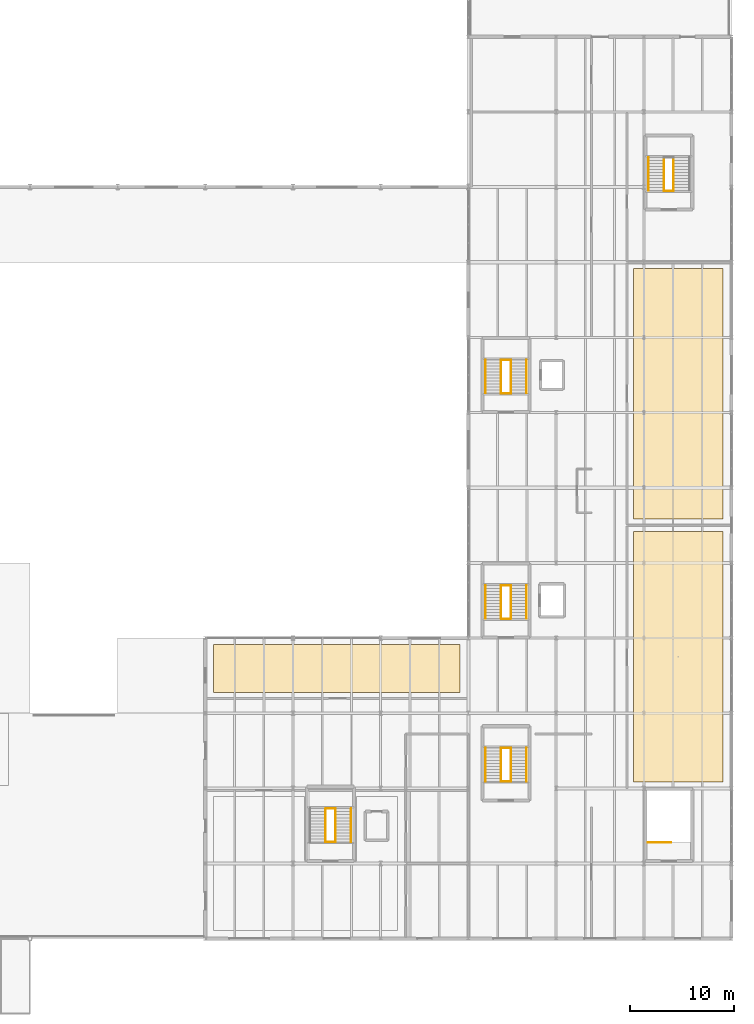
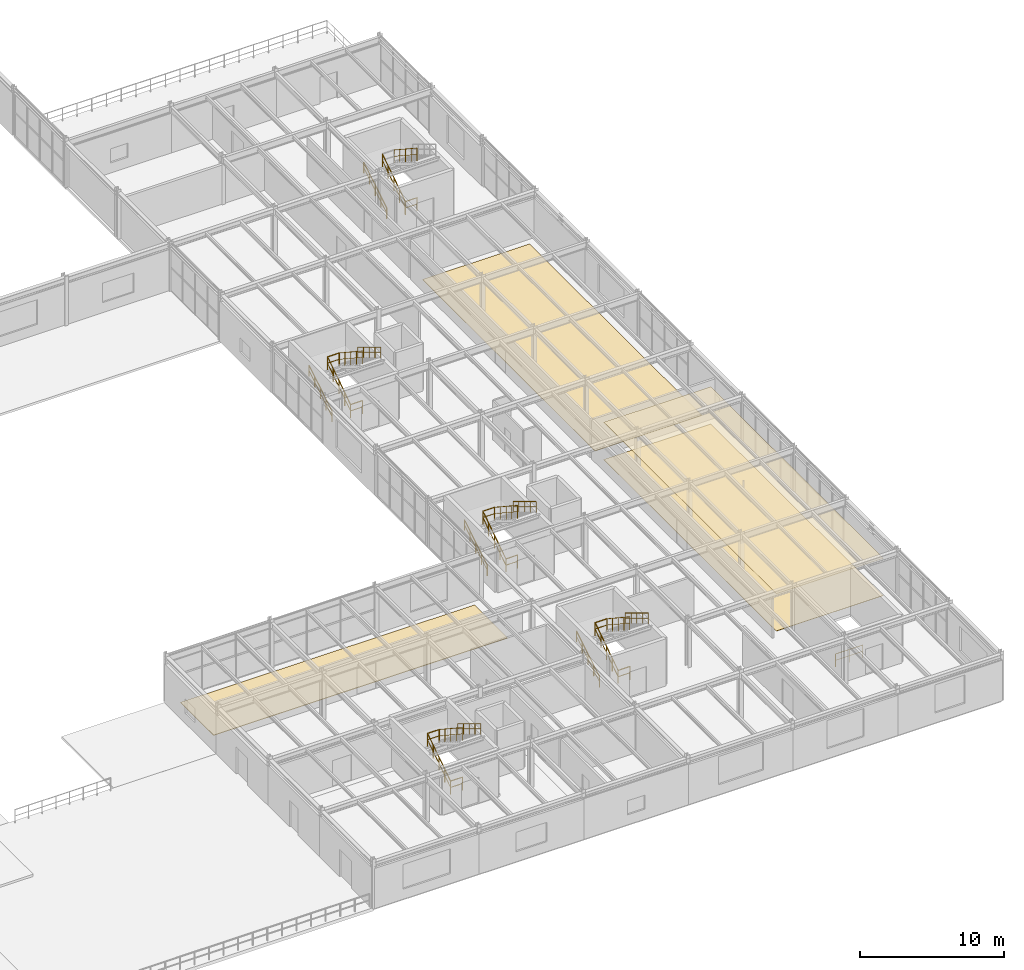
# One storey, part 72 of 73: 28 railings, 4 coverings.
"""IFC4 building model written with IfcOpenShell, lengths in metres."""

from ifc_helpers import new_model, si_unit, derived_unit, direction, frame, origin, origin_2d, place, context, subcontext, project, spatial, polyline, circle, outline, extrude, material, layer, layer_set, type_object, element, save


model = new_model("IFC4")

# Units and contexts
model_context = context("Model", 3, precision=1e-05, world=origin(), true_north=direction((0.0, 1.0)))
body_context = subcontext(model_context, "Body", "Model", "MODEL_VIEW")
ifc_project = project(units=[si_unit("LENGTHUNIT", "METRE"), si_unit("AREAUNIT", "SQUARE_METRE"), si_unit("VOLUMEUNIT", "CUBIC_METRE"), si_unit("PLANEANGLEUNIT", "RADIAN"), si_unit("MASSUNIT", "GRAM", prefix="KILO"), derived_unit("THERMALTRANSMITTANCEUNIT", [(si_unit("MASSUNIT", "GRAM", prefix="KILO"), 1), (si_unit("TIMEUNIT", "SECOND"), -3), (si_unit("THERMODYNAMICTEMPERATUREUNIT", "KELVIN"), -1)])], contexts=[model_context])

# Site, building, storey
site_placement = place(None, origin())
site = spatial("IfcSite", under=ifc_project, at=site_placement, CompositionType="ELEMENT")
building_placement = place(site_placement, origin())
building = spatial("IfcBuilding", under=site, at=building_placement, Name="Kharveza Railside Sports Centre", CompositionType="ELEMENT")
storey_placement = place(building_placement, frame((0.0, 0.0, 8.699951171875)))
storey = spatial("IfcBuildingStorey", under=building, at=storey_placement, Name="L02", CompositionType="ELEMENT", Elevation=8.699951171875)

# Coverings
ifc_material_1 = material(Name="Acoustic mineral-fibre ceiling tile")
ifc_layer_1 = layer(ifc_material_1, 0.0400390625, Name="Acoustic mineral-fibre ceiling tile")
ifc_layer_set_1 = layer_set([ifc_layer_1], Name="Acoustic mineral-fibre ceiling tile")
covering_type_1 = type_object("IfcCoveringType", Name="CV-CL01", PredefinedType="CEILING", material=ifc_layer_set_1)
covering_1_placement = place(storey_placement, frame((0.0, 0.0, 3.150146484375)))
element("IfcCovering", 1, at=covering_1_placement, inside=storey, type_object=covering_type_1, Name="COV-CL-FIT2", PredefinedType="CEILING", context=body_context, shape_type="SweptSolid", body=[
    extrude(outline(polyline([(167.199951171875, 22.199951171875), (158.60009765625, 22.199951171875), (158.60009765625, 46.199951171875), (167.199951171875, 46.199951171875), (167.199951171875, 22.199951171875)])), origin(), (0.0, 0.0, 1.0), 0.039794921875),
])
ifc_material_2 = material(Name="Sprung maple sports flooring")
ifc_layer_2 = layer(ifc_material_2, 0.044921875, Name="Sprung maple sports flooring")
ifc_layer_set_2 = layer_set([ifc_layer_2], Name="Sprung maple sports flooring")
covering_type_2 = type_object("IfcCoveringType", Name="CV-FL01", PredefinedType="FLOORING", material=ifc_layer_set_2)
covering_2_placement = place(storey_placement, origin())
element("IfcCovering", 2, at=covering_2_placement, inside=storey, type_object=covering_type_2, Name="COV-FL-DNC2", PredefinedType="FLOORING", context=body_context, shape_type="SweptSolid", body=[
    extrude(outline(polyline([(142.0, 30.800048828125), (118.39990234375, 30.800048828125), (118.39990234375, 35.39990234375), (142.0, 35.39990234375), (142.0, 30.800048828125)])), origin(), (0.0, 0.0, 1.0), 0.045166015625),
])
ifc_material_3 = material(Name="EPDM shock-absorbing running track surfacing")
ifc_layer_3 = layer(ifc_material_3, 0.02490234375, Name="EPDM shock-absorbing running track surfacing")
ifc_layer_set_3 = layer_set([ifc_layer_3], Name="EPDM shock-absorbing running track surfacing")
covering_type_3 = type_object("IfcCoveringType", Name="CV-FL02", PredefinedType="FLOORING", material=ifc_layer_set_3)
covering_3_placement = place(storey_placement, origin())
element("IfcCovering", 3, at=covering_3_placement, inside=storey, type_object=covering_type_3, Name="COV-FL-FIT2", PredefinedType="FLOORING", context=body_context, shape_type="SweptSolid", body=[
    extrude(outline(polyline([(167.199951171875, 22.199951171875), (158.60009765625, 22.199951171875), (158.60009765625, 46.199951171875), (167.199951171875, 46.199951171875), (167.199951171875, 22.199951171875)])), origin(), (0.0, 0.0, 1.0), 0.025146484375),
])
covering_4_placement = place(storey_placement, origin())
element("IfcCovering", 4, at=covering_4_placement, inside=storey, type_object=covering_type_3, Name="COV-FL-FIT3", PredefinedType="FLOORING", context=body_context, shape_type="SweptSolid", body=[
    extrude(outline(polyline([(167.199951171875, 47.39990234375), (158.60009765625, 47.39990234375), (158.60009765625, 71.39990234375), (167.199951171875, 71.39990234375), (167.199951171875, 47.39990234375)])), origin(), (0.0, 0.0, 1.0), 0.025146484375),
])

# Railings
ifc_material_4 = material(Name="Steel S275JR", Category="steel")
railing_type_1 = type_object("IfcRailingType", Name="RL-GD110", PredefinedType="GUARDRAIL", material=ifc_material_4)
railing_1_placement = place(storey_placement, frame((145.929931640625, 37.840087890625, 0.0)))
element("IfcRailing", 5, at=railing_1_placement, inside=storey, type_object=railing_type_1, Name="RL-STSLOT-ST1-L02", PredefinedType="GUARDRAIL", context=body_context, shape_type="SweptSolid", body=[
    extrude(circle(Radius=0.02392578125, at=origin_2d()), frame((0.0, 0.0, 1.09619140625), z_axis=(1.0, 0.0, 0.0), x_axis=(0.0, 1.0, 0.0)), (0.0, 0.0, 1.0), 0.940185546875),
    extrude(circle(Radius=0.01611328125, at=origin_2d()), frame((0.0, 0.0, 0.56005859375), z_axis=(1.0, 0.0, 0.0), x_axis=(0.0, 1.0, 0.0)), (0.0, 0.0, 1.0), 0.940185546875),
    extrude(circle(Radius=0.02099609375, at=origin_2d()), origin(), (0.0, 0.0, 1.0), 1.072021484375),
    extrude(circle(Radius=0.02099609375, at=origin_2d()), frame((0.940185546875, 0.0, 0.0)), (0.0, 0.0, 1.0), 1.072021484375),
])
railing_2_placement = place(storey_placement, frame((145.929931640625, 37.860107421875, 0.0)))
element("IfcRailing", 6, at=railing_2_placement, inside=storey, type_object=railing_type_1, Name="STR-ST1-L02-GD1", PredefinedType="GUARDRAIL", context=body_context, shape_type="SweptSolid", body=[
    extrude(circle(Radius=0.02392578125, at=origin_2d()), frame((0.0, 0.0, 1.09619140625), z_axis=(0.0, 0.835242474824, 0.549881812983), x_axis=(-1.0, 0.0, 0.0)), (0.0, 0.0, 1.0), 3.819091796875),
    extrude(circle(Radius=0.01611328125, at=origin_2d()), frame((0.0, 0.0, 0.56005859375), z_axis=(0.0, 0.835242474824, 0.549881812983), x_axis=(-1.0, 0.0, 0.0)), (0.0, 0.0, 1.0), 3.819091796875),
    extrude(circle(Radius=0.02099609375, at=origin_2d()), origin(), (0.0, 0.0, 1.0), 1.072021484375),
    extrude(circle(Radius=0.02099609375, at=origin_2d()), frame((0.0, 0.79736328125, 0.52490234375)), (0.0, 0.0, 1.0), 1.072021484375),
    extrude(circle(Radius=0.02099609375, at=origin_2d()), frame((0.0, 1.594970703125, 1.050048828125)), (0.0, 0.0, 1.0), 1.072021484375),
    extrude(circle(Radius=0.02099609375, at=origin_2d()), frame((0.0, 2.392578125, 1.5751953125)), (0.0, 0.0, 1.0), 1.072021484375),
    extrude(circle(Radius=0.02099609375, at=origin_2d()), frame((0.0, 3.18994140625, 2.10009765625)), (0.0, 0.0, 1.0), 1.072021484375),
])
railing_3_placement = place(storey_placement, frame((146.8701171875, 41.050048828125, 2.10009765625)))
element("IfcRailing", 7, at=railing_3_placement, inside=storey, type_object=railing_type_1, Name="STR-ST1-L02-GD2", PredefinedType="GUARDRAIL", context=body_context, shape_type="SweptSolid", body=[
    extrude(circle(Radius=0.02392578125, at=origin_2d()), frame((0.0, 0.0, 1.09619140625), z_axis=(0.0, -0.835271834381, 0.549837214719), x_axis=(1.0, 0.0, 0.0)), (0.0, 0.0, 1.0), 3.819091796875),
    extrude(circle(Radius=0.01611328125, at=origin_2d()), frame((0.0, 0.0, 0.56005859375), z_axis=(0.0, -0.835271834381, 0.549837214719), x_axis=(1.0, 0.0, 0.0)), (0.0, 0.0, 1.0), 3.819091796875),
    extrude(circle(Radius=0.02099609375, at=origin_2d()), origin(), (0.0, 0.0, 1.0), 1.072021484375),
    extrude(circle(Radius=0.02099609375, at=origin_2d()), frame((0.0, -0.79736328125, 0.52490234375)), (0.0, 0.0, 1.0), 1.072021484375),
    extrude(circle(Radius=0.02099609375, at=origin_2d()), frame((0.0, -1.594970703125, 1.0498046875)), (0.0, 0.0, 1.0), 1.072021484375),
    extrude(circle(Radius=0.02099609375, at=origin_2d()), frame((0.0, -2.392578125, 1.574951171875)), (0.0, 0.0, 1.0), 1.072021484375),
    extrude(circle(Radius=0.02099609375, at=origin_2d()), frame((0.0, -3.18994140625, 2.099853515625)), (0.0, 0.0, 1.0), 1.072021484375),
])
for number, where, name in (
    (8, (145.929931640625, 41.050048828125, 2.10009765625), "STR-ST1-L02-GDH"),
    (9, (145.929931640625, 59.43994140625, 0.0), "RL-STSLOT-ST2-L02"),
):
    element("IfcRailing", number, at=place(storey_placement, frame(where)), inside=storey, type_object=railing_type_1, Name=name, PredefinedType="GUARDRAIL", context=body_context, shape_type="SweptSolid", body=[
        extrude(circle(Radius=0.02392578125, at=origin_2d()), frame((0.0, 0.0, 1.09619140625), z_axis=(1.0, 0.0, 0.0), x_axis=(0.0, 1.0, 0.0)), (0.0, 0.0, 1.0), 0.940185546875),
        extrude(circle(Radius=0.01611328125, at=origin_2d()), frame((0.0, 0.0, 0.56005859375), z_axis=(1.0, 0.0, 0.0), x_axis=(0.0, 1.0, 0.0)), (0.0, 0.0, 1.0), 0.940185546875),
        extrude(circle(Radius=0.02099609375, at=origin_2d()), origin(), (0.0, 0.0, 1.0), 1.072021484375),
        extrude(circle(Radius=0.02099609375, at=origin_2d()), frame((0.940185546875, 0.0, 0.0)), (0.0, 0.0, 1.0), 1.072021484375),
    ])
railing_4_placement = place(storey_placement, frame((145.929931640625, 59.4599609375, 0.0)))
element("IfcRailing", 10, at=railing_4_placement, inside=storey, type_object=railing_type_1, Name="STR-ST2-L02-GD1", PredefinedType="GUARDRAIL", context=body_context, shape_type="SweptSolid", body=[
    extrude(circle(Radius=0.02392578125, at=origin_2d()), frame((0.0, 0.0, 1.09619140625), z_axis=(0.0, 0.835242474824, 0.549881812983), x_axis=(-1.0, 0.0, 0.0)), (0.0, 0.0, 1.0), 3.819091796875),
    extrude(circle(Radius=0.01611328125, at=origin_2d()), frame((0.0, 0.0, 0.56005859375), z_axis=(0.0, 0.835242474824, 0.549881812983), x_axis=(-1.0, 0.0, 0.0)), (0.0, 0.0, 1.0), 3.819091796875),
    extrude(circle(Radius=0.02099609375, at=origin_2d()), origin(), (0.0, 0.0, 1.0), 1.072021484375),
    extrude(circle(Radius=0.02099609375, at=origin_2d()), frame((0.0, 0.79736328125, 0.52490234375)), (0.0, 0.0, 1.0), 1.072021484375),
    extrude(circle(Radius=0.02099609375, at=origin_2d()), frame((0.0, 1.594970703125, 1.050048828125)), (0.0, 0.0, 1.0), 1.072021484375),
    extrude(circle(Radius=0.02099609375, at=origin_2d()), frame((0.0, 2.392578125, 1.5751953125)), (0.0, 0.0, 1.0), 1.072021484375),
    extrude(circle(Radius=0.02099609375, at=origin_2d()), frame((0.0, 3.18994140625, 2.10009765625)), (0.0, 0.0, 1.0), 1.072021484375),
])
railing_5_placement = place(storey_placement, frame((146.8701171875, 62.64990234375, 2.10009765625)))
element("IfcRailing", 11, at=railing_5_placement, inside=storey, type_object=railing_type_1, Name="STR-ST2-L02-GD2", PredefinedType="GUARDRAIL", context=body_context, shape_type="SweptSolid", body=[
    extrude(circle(Radius=0.02392578125, at=origin_2d()), frame((0.0, 0.0, 1.09619140625), z_axis=(0.0, -0.835271834381, 0.549837214719), x_axis=(1.0, 0.0, 0.0)), (0.0, 0.0, 1.0), 3.819091796875),
    extrude(circle(Radius=0.01611328125, at=origin_2d()), frame((0.0, 0.0, 0.56005859375), z_axis=(0.0, -0.835271834381, 0.549837214719), x_axis=(1.0, 0.0, 0.0)), (0.0, 0.0, 1.0), 3.819091796875),
    extrude(circle(Radius=0.02099609375, at=origin_2d()), origin(), (0.0, 0.0, 1.0), 1.072021484375),
    extrude(circle(Radius=0.02099609375, at=origin_2d()), frame((0.0, -0.79736328125, 0.52490234375)), (0.0, 0.0, 1.0), 1.072021484375),
    extrude(circle(Radius=0.02099609375, at=origin_2d()), frame((0.0, -1.594970703125, 1.0498046875)), (0.0, 0.0, 1.0), 1.072021484375),
    extrude(circle(Radius=0.02099609375, at=origin_2d()), frame((0.0, -2.392578125, 1.574951171875)), (0.0, 0.0, 1.0), 1.072021484375),
    extrude(circle(Radius=0.02099609375, at=origin_2d()), frame((0.0, -3.18994140625, 2.099853515625)), (0.0, 0.0, 1.0), 1.072021484375),
])
for number, where, name in (
    (12, (145.929931640625, 62.64990234375, 2.10009765625), "STR-ST2-L02-GDH"),
    (13, (129.1298828125, 16.43994140625, 0.0), "RL-STSLOT-ST3-L02"),
):
    element("IfcRailing", number, at=place(storey_placement, frame(where)), inside=storey, type_object=railing_type_1, Name=name, PredefinedType="GUARDRAIL", context=body_context, shape_type="SweptSolid", body=[
        extrude(circle(Radius=0.02392578125, at=origin_2d()), frame((0.0, 0.0, 1.09619140625), z_axis=(1.0, 0.0, 0.0), x_axis=(0.0, 1.0, 0.0)), (0.0, 0.0, 1.0), 0.940185546875),
        extrude(circle(Radius=0.01611328125, at=origin_2d()), frame((0.0, 0.0, 0.56005859375), z_axis=(1.0, 0.0, 0.0), x_axis=(0.0, 1.0, 0.0)), (0.0, 0.0, 1.0), 0.940185546875),
        extrude(circle(Radius=0.02099609375, at=origin_2d()), origin(), (0.0, 0.0, 1.0), 1.072021484375),
        extrude(circle(Radius=0.02099609375, at=origin_2d()), frame((0.940185546875, 0.0, 0.0)), (0.0, 0.0, 1.0), 1.072021484375),
    ])
railing_6_placement = place(storey_placement, frame((129.1298828125, 16.4599609375, 0.0)))
element("IfcRailing", 14, at=railing_6_placement, inside=storey, type_object=railing_type_1, Name="STR-ST3-L02-GD1", PredefinedType="GUARDRAIL", context=body_context, shape_type="SweptSolid", body=[
    extrude(circle(Radius=0.02392578125, at=origin_2d()), frame((0.0, 0.0, 1.09619140625), z_axis=(0.0, 0.835242474824, 0.549881812983), x_axis=(-1.0, 0.0, 0.0)), (0.0, 0.0, 1.0), 3.819091796875),
    extrude(circle(Radius=0.01611328125, at=origin_2d()), frame((0.0, 0.0, 0.56005859375), z_axis=(0.0, 0.835242474824, 0.549881812983), x_axis=(-1.0, 0.0, 0.0)), (0.0, 0.0, 1.0), 3.819091796875),
    extrude(circle(Radius=0.02099609375, at=origin_2d()), origin(), (0.0, 0.0, 1.0), 1.072021484375),
    extrude(circle(Radius=0.02099609375, at=origin_2d()), frame((0.0, 0.79736328125, 0.52490234375)), (0.0, 0.0, 1.0), 1.072021484375),
    extrude(circle(Radius=0.02099609375, at=origin_2d()), frame((0.0, 1.594970703125, 1.050048828125)), (0.0, 0.0, 1.0), 1.072021484375),
    extrude(circle(Radius=0.02099609375, at=origin_2d()), frame((0.0, 2.392578125, 1.5751953125)), (0.0, 0.0, 1.0), 1.072021484375),
    extrude(circle(Radius=0.02099609375, at=origin_2d()), frame((0.0, 3.18994140625, 2.10009765625)), (0.0, 0.0, 1.0), 1.072021484375),
])
railing_7_placement = place(storey_placement, frame((130.070068359375, 19.64990234375, 2.10009765625)))
element("IfcRailing", 15, at=railing_7_placement, inside=storey, type_object=railing_type_1, Name="STR-ST3-L02-GD2", PredefinedType="GUARDRAIL", context=body_context, shape_type="SweptSolid", body=[
    extrude(circle(Radius=0.02392578125, at=origin_2d()), frame((0.0, 0.0, 1.09619140625), z_axis=(0.0, -0.835271834381, 0.549837214719), x_axis=(1.0, 0.0, 0.0)), (0.0, 0.0, 1.0), 3.819091796875),
    extrude(circle(Radius=0.01611328125, at=origin_2d()), frame((0.0, 0.0, 0.56005859375), z_axis=(0.0, -0.835271834381, 0.549837214719), x_axis=(1.0, 0.0, 0.0)), (0.0, 0.0, 1.0), 3.819091796875),
    extrude(circle(Radius=0.02099609375, at=origin_2d()), origin(), (0.0, 0.0, 1.0), 1.072021484375),
    extrude(circle(Radius=0.02099609375, at=origin_2d()), frame((0.0, -0.79736328125, 0.52490234375)), (0.0, 0.0, 1.0), 1.072021484375),
    extrude(circle(Radius=0.02099609375, at=origin_2d()), frame((0.0, -1.594970703125, 1.0498046875)), (0.0, 0.0, 1.0), 1.072021484375),
    extrude(circle(Radius=0.02099609375, at=origin_2d()), frame((0.0, -2.392578125, 1.574951171875)), (0.0, 0.0, 1.0), 1.072021484375),
    extrude(circle(Radius=0.02099609375, at=origin_2d()), frame((0.0, -3.18994140625, 2.099853515625)), (0.0, 0.0, 1.0), 1.072021484375),
])
railing_8_placement = place(storey_placement, frame((129.1298828125, 19.64990234375, 2.10009765625)))
element("IfcRailing", 16, at=railing_8_placement, inside=storey, type_object=railing_type_1, Name="STR-ST3-L02-GDH", PredefinedType="GUARDRAIL", context=body_context, shape_type="SweptSolid", body=[
    extrude(circle(Radius=0.02392578125, at=origin_2d()), frame((0.0, 0.0, 1.09619140625), z_axis=(1.0, 0.0, 0.0), x_axis=(0.0, 1.0, 0.0)), (0.0, 0.0, 1.0), 0.940185546875),
    extrude(circle(Radius=0.01611328125, at=origin_2d()), frame((0.0, 0.0, 0.56005859375), z_axis=(1.0, 0.0, 0.0), x_axis=(0.0, 1.0, 0.0)), (0.0, 0.0, 1.0), 0.940185546875),
    extrude(circle(Radius=0.02099609375, at=origin_2d()), origin(), (0.0, 0.0, 1.0), 1.072021484375),
    extrude(circle(Radius=0.02099609375, at=origin_2d()), frame((0.940185546875, 0.0, 0.0)), (0.0, 0.0, 1.0), 1.072021484375),
])
railing_9_placement = place(storey_placement, frame((161.530029296875, 78.840087890625, 0.0)))
element("IfcRailing", 17, at=railing_9_placement, inside=storey, type_object=railing_type_1, Name="RL-STSLOT-ST4-L02", PredefinedType="GUARDRAIL", context=body_context, shape_type="SweptSolid", body=[
    extrude(circle(Radius=0.02392578125, at=origin_2d()), frame((0.0, 0.0, 1.09619140625), z_axis=(1.0, 0.0, 0.0), x_axis=(0.0, 1.0, 0.0)), (0.0, 0.0, 1.0), 0.93994140625),
    extrude(circle(Radius=0.01611328125, at=origin_2d()), frame((0.0, 0.0, 0.56005859375), z_axis=(1.0, 0.0, 0.0), x_axis=(0.0, 1.0, 0.0)), (0.0, 0.0, 1.0), 0.93994140625),
    extrude(circle(Radius=0.02099609375, at=origin_2d()), origin(), (0.0, 0.0, 1.0), 1.072021484375),
    extrude(circle(Radius=0.02099609375, at=origin_2d()), frame((0.93994140625, 0.0, 0.0)), (0.0, 0.0, 1.0), 1.072021484375),
])
railing_10_placement = place(storey_placement, frame((161.530029296875, 78.860107421875, 0.0)))
element("IfcRailing", 18, at=railing_10_placement, inside=storey, type_object=railing_type_1, Name="STR-ST4-L02-GD1", PredefinedType="GUARDRAIL", context=body_context, shape_type="SweptSolid", body=[
    extrude(circle(Radius=0.02392578125, at=origin_2d()), frame((0.0, 0.0, 1.09619140625), z_axis=(0.0, 0.835242474824, 0.549881812983), x_axis=(-1.0, 0.0, 0.0)), (0.0, 0.0, 1.0), 3.819091796875),
    extrude(circle(Radius=0.01611328125, at=origin_2d()), frame((0.0, 0.0, 0.56005859375), z_axis=(0.0, 0.835242474824, 0.549881812983), x_axis=(-1.0, 0.0, 0.0)), (0.0, 0.0, 1.0), 3.819091796875),
    extrude(circle(Radius=0.02099609375, at=origin_2d()), origin(), (0.0, 0.0, 1.0), 1.072021484375),
    extrude(circle(Radius=0.02099609375, at=origin_2d()), frame((0.0, 0.79736328125, 0.52490234375)), (0.0, 0.0, 1.0), 1.072021484375),
    extrude(circle(Radius=0.02099609375, at=origin_2d()), frame((0.0, 1.594970703125, 1.050048828125)), (0.0, 0.0, 1.0), 1.072021484375),
    extrude(circle(Radius=0.02099609375, at=origin_2d()), frame((0.0, 2.392578125, 1.5751953125)), (0.0, 0.0, 1.0), 1.072021484375),
    extrude(circle(Radius=0.02099609375, at=origin_2d()), frame((0.0, 3.18994140625, 2.10009765625)), (0.0, 0.0, 1.0), 1.072021484375),
])
railing_11_placement = place(storey_placement, frame((162.469970703125, 82.050048828125, 2.10009765625)))
element("IfcRailing", 19, at=railing_11_placement, inside=storey, type_object=railing_type_1, Name="STR-ST4-L02-GD2", PredefinedType="GUARDRAIL", context=body_context, shape_type="SweptSolid", body=[
    extrude(circle(Radius=0.02392578125, at=origin_2d()), frame((0.0, 0.0, 1.09619140625), z_axis=(0.0, -0.835271834381, 0.549837214719), x_axis=(1.0, 0.0, 0.0)), (0.0, 0.0, 1.0), 3.819091796875),
    extrude(circle(Radius=0.01611328125, at=origin_2d()), frame((0.0, 0.0, 0.56005859375), z_axis=(0.0, -0.835271834381, 0.549837214719), x_axis=(1.0, 0.0, 0.0)), (0.0, 0.0, 1.0), 3.819091796875),
    extrude(circle(Radius=0.02099609375, at=origin_2d()), origin(), (0.0, 0.0, 1.0), 1.072021484375),
    extrude(circle(Radius=0.02099609375, at=origin_2d()), frame((0.0, -0.79736328125, 0.52490234375)), (0.0, 0.0, 1.0), 1.072021484375),
    extrude(circle(Radius=0.02099609375, at=origin_2d()), frame((0.0, -1.594970703125, 1.0498046875)), (0.0, 0.0, 1.0), 1.072021484375),
    extrude(circle(Radius=0.02099609375, at=origin_2d()), frame((0.0, -2.392578125, 1.574951171875)), (0.0, 0.0, 1.0), 1.072021484375),
    extrude(circle(Radius=0.02099609375, at=origin_2d()), frame((0.0, -3.18994140625, 2.099853515625)), (0.0, 0.0, 1.0), 1.072021484375),
])
railing_12_placement = place(storey_placement, frame((145.929931640625, 22.239990234375, 0.0)))
element("IfcRailing", 20, at=railing_12_placement, inside=storey, type_object=railing_type_1, Name="RL-STSLOT-ST5-L02", PredefinedType="GUARDRAIL", context=body_context, shape_type="SweptSolid", body=[
    extrude(circle(Radius=0.02392578125, at=origin_2d()), frame((0.0, 0.0, 1.09619140625), z_axis=(1.0, 0.0, 0.0), x_axis=(0.0, 1.0, 0.0)), (0.0, 0.0, 1.0), 0.940185546875),
    extrude(circle(Radius=0.01611328125, at=origin_2d()), frame((0.0, 0.0, 0.56005859375), z_axis=(1.0, 0.0, 0.0), x_axis=(0.0, 1.0, 0.0)), (0.0, 0.0, 1.0), 0.940185546875),
    extrude(circle(Radius=0.02099609375, at=origin_2d()), origin(), (0.0, 0.0, 1.0), 1.072021484375),
    extrude(circle(Radius=0.02099609375, at=origin_2d()), frame((0.940185546875, 0.0, 0.0)), (0.0, 0.0, 1.0), 1.072021484375),
])
railing_13_placement = place(storey_placement, frame((145.929931640625, 22.260009765625, 0.0)))
element("IfcRailing", 21, at=railing_13_placement, inside=storey, type_object=railing_type_1, Name="STR-ST5-L02-GD1", PredefinedType="GUARDRAIL", context=body_context, shape_type="SweptSolid", body=[
    extrude(circle(Radius=0.02392578125, at=origin_2d()), frame((0.0, 0.0, 1.09619140625), z_axis=(0.0, 0.835242474824, 0.549881812983), x_axis=(-1.0, 0.0, 0.0)), (0.0, 0.0, 1.0), 3.819091796875),
    extrude(circle(Radius=0.01611328125, at=origin_2d()), frame((0.0, 0.0, 0.56005859375), z_axis=(0.0, 0.835242474824, 0.549881812983), x_axis=(-1.0, 0.0, 0.0)), (0.0, 0.0, 1.0), 3.819091796875),
    extrude(circle(Radius=0.02099609375, at=origin_2d()), origin(), (0.0, 0.0, 1.0), 1.072021484375),
    extrude(circle(Radius=0.02099609375, at=origin_2d()), frame((0.0, 0.79736328125, 0.52490234375)), (0.0, 0.0, 1.0), 1.072021484375),
    extrude(circle(Radius=0.02099609375, at=origin_2d()), frame((0.0, 1.594970703125, 1.050048828125)), (0.0, 0.0, 1.0), 1.072021484375),
    extrude(circle(Radius=0.02099609375, at=origin_2d()), frame((0.0, 2.392578125, 1.5751953125)), (0.0, 0.0, 1.0), 1.072021484375),
    extrude(circle(Radius=0.02099609375, at=origin_2d()), frame((0.0, 3.18994140625, 2.10009765625)), (0.0, 0.0, 1.0), 1.072021484375),
])
railing_14_placement = place(storey_placement, frame((146.8701171875, 25.449951171875, 2.10009765625)))
element("IfcRailing", 22, at=railing_14_placement, inside=storey, type_object=railing_type_1, Name="STR-ST5-L02-GD2", PredefinedType="GUARDRAIL", context=body_context, shape_type="SweptSolid", body=[
    extrude(circle(Radius=0.02392578125, at=origin_2d()), frame((0.0, 0.0, 1.09619140625), z_axis=(0.0, -0.835271834381, 0.549837214719), x_axis=(1.0, 0.0, 0.0)), (0.0, 0.0, 1.0), 3.819091796875),
    extrude(circle(Radius=0.01611328125, at=origin_2d()), frame((0.0, 0.0, 0.56005859375), z_axis=(0.0, -0.835271834381, 0.549837214719), x_axis=(1.0, 0.0, 0.0)), (0.0, 0.0, 1.0), 3.819091796875),
    extrude(circle(Radius=0.02099609375, at=origin_2d()), origin(), (0.0, 0.0, 1.0), 1.072021484375),
    extrude(circle(Radius=0.02099609375, at=origin_2d()), frame((0.0, -0.79736328125, 0.52490234375)), (0.0, 0.0, 1.0), 1.072021484375),
    extrude(circle(Radius=0.02099609375, at=origin_2d()), frame((0.0, -1.594970703125, 1.0498046875)), (0.0, 0.0, 1.0), 1.072021484375),
    extrude(circle(Radius=0.02099609375, at=origin_2d()), frame((0.0, -2.392578125, 1.574951171875)), (0.0, 0.0, 1.0), 1.072021484375),
    extrude(circle(Radius=0.02099609375, at=origin_2d()), frame((0.0, -3.18994140625, 2.099853515625)), (0.0, 0.0, 1.0), 1.072021484375),
])
railing_15_placement = place(storey_placement, frame((145.929931640625, 25.449951171875, 2.10009765625)))
element("IfcRailing", 23, at=railing_15_placement, inside=storey, type_object=railing_type_1, Name="STR-ST5-L02-GDH", PredefinedType="GUARDRAIL", context=body_context, shape_type="SweptSolid", body=[
    extrude(circle(Radius=0.02392578125, at=origin_2d()), frame((0.0, 0.0, 1.09619140625), z_axis=(1.0, 0.0, 0.0), x_axis=(0.0, 1.0, 0.0)), (0.0, 0.0, 1.0), 0.940185546875),
    extrude(circle(Radius=0.01611328125, at=origin_2d()), frame((0.0, 0.0, 0.56005859375), z_axis=(1.0, 0.0, 0.0), x_axis=(0.0, 1.0, 0.0)), (0.0, 0.0, 1.0), 0.940185546875),
    extrude(circle(Radius=0.02099609375, at=origin_2d()), origin(), (0.0, 0.0, 1.0), 1.072021484375),
    extrude(circle(Radius=0.02099609375, at=origin_2d()), frame((0.940185546875, 0.0, 0.0)), (0.0, 0.0, 1.0), 1.072021484375),
])
railing_16_placement = place(storey_placement, frame((160.0, 16.39990234375, 0.0)))
element("IfcRailing", 24, at=railing_16_placement, inside=storey, type_object=railing_type_1, Name="RL-STTOP-ST11-L02", PredefinedType="GUARDRAIL", context=body_context, shape_type="SweptSolid", body=[
    extrude(circle(Radius=0.02392578125, at=origin_2d()), frame((0.0, 0.0, 1.09619140625), z_axis=(1.0, 0.0, 0.0), x_axis=(0.0, 1.0, 0.0)), (0.0, 0.0, 1.0), 2.199951171875),
    extrude(circle(Radius=0.01611328125, at=origin_2d()), frame((0.0, 0.0, 0.56005859375), z_axis=(1.0, 0.0, 0.0), x_axis=(0.0, 1.0, 0.0)), (0.0, 0.0, 1.0), 2.199951171875),
    extrude(circle(Radius=0.02099609375, at=origin_2d()), origin(), (0.0, 0.0, 1.0), 1.072021484375),
    extrude(circle(Radius=0.02099609375, at=origin_2d()), frame((1.10009765625, 0.0, 0.0)), (0.0, 0.0, 1.0), 1.072021484375),
    extrude(circle(Radius=0.02099609375, at=origin_2d()), frame((2.199951171875, 0.0, 0.0)), (0.0, 0.0, 1.0), 1.072021484375),
])
railing_type_2 = type_object("IfcRailingType", Name="RL-HR092", PredefinedType="HANDRAIL", material=ifc_material_4)
railing_17_placement = place(storey_placement, frame((144.43994140625, 37.860107421875, 0.175048828125)))
element("IfcRailing", 25, at=railing_17_placement, inside=storey, type_object=railing_type_2, Name="STR-ST1-L02-HR1", PredefinedType="HANDRAIL", context=body_context, shape_type="SweptSolid", body=[
    extrude(circle(Radius=0.02392578125, at=origin_2d()), frame((0.0, 0.0, 0.89599609375), z_axis=(0.0, 0.856177665481, 0.516681531633), x_axis=(-1.0, 0.0, 0.0)), (0.0, 0.0, 1.0), 3.725830078125),
    extrude(circle(Radius=0.01611328125, at=origin_2d()), frame((0.0, 0.0, 0.4599609375), z_axis=(0.0, 0.856177665481, 0.516681531633), x_axis=(-1.0, 0.0, 0.0)), (0.0, 0.0, 1.0), 3.725830078125),
    extrude(circle(Radius=0.02099609375, at=origin_2d()), origin(), (0.0, 0.0, 1.0), 0.871826171875),
    extrude(circle(Radius=0.02099609375, at=origin_2d()), frame((0.0, 0.79736328125, 0.481201171875)), (0.0, 0.0, 1.0), 0.871826171875),
    extrude(circle(Radius=0.02099609375, at=origin_2d()), frame((0.0, 1.594970703125, 0.96240234375)), (0.0, 0.0, 1.0), 0.871826171875),
    extrude(circle(Radius=0.02099609375, at=origin_2d()), frame((0.0, 2.392578125, 1.44384765625)), (0.0, 0.0, 1.0), 0.871826171875),
    extrude(circle(Radius=0.02099609375, at=origin_2d()), frame((0.0, 3.18994140625, 1.925048828125)), (0.0, 0.0, 1.0), 0.871826171875),
])
railing_18_placement = place(storey_placement, frame((148.360107421875, 41.050048828125, 2.275146484375)))
element("IfcRailing", 26, at=railing_18_placement, inside=storey, type_object=railing_type_2, Name="STR-ST1-L02-HR2", PredefinedType="HANDRAIL", context=body_context, shape_type="SweptSolid", body=[
    extrude(circle(Radius=0.02392578125, at=origin_2d()), frame((0.0, 0.0, 0.89599609375), z_axis=(0.0, -0.856206652436, 0.516633495163), x_axis=(1.0, 0.0, 0.0)), (0.0, 0.0, 1.0), 3.7255859375),
    extrude(circle(Radius=0.01611328125, at=origin_2d()), frame((0.0, 0.0, 0.4599609375), z_axis=(0.0, -0.856206652436, 0.516633495163), x_axis=(1.0, 0.0, 0.0)), (0.0, 0.0, 1.0), 3.7255859375),
    extrude(circle(Radius=0.02099609375, at=origin_2d()), origin(), (0.0, 0.0, 1.0), 0.871826171875),
    extrude(circle(Radius=0.02099609375, at=origin_2d()), frame((0.0, -0.79736328125, 0.481201171875)), (0.0, 0.0, 1.0), 0.871826171875),
    extrude(circle(Radius=0.02099609375, at=origin_2d()), frame((0.0, -1.594970703125, 0.96240234375)), (0.0, 0.0, 1.0), 0.871826171875),
    extrude(circle(Radius=0.02099609375, at=origin_2d()), frame((0.0, -2.392578125, 1.443603515625)), (0.0, 0.0, 1.0), 0.871826171875),
    extrude(circle(Radius=0.02099609375, at=origin_2d()), frame((0.0, -3.18994140625, 1.9248046875)), (0.0, 0.0, 1.0), 0.871826171875),
])
railing_19_placement = place(storey_placement, frame((144.43994140625, 59.4599609375, 0.175048828125)))
element("IfcRailing", 27, at=railing_19_placement, inside=storey, type_object=railing_type_2, Name="STR-ST2-L02-HR1", PredefinedType="HANDRAIL", context=body_context, shape_type="SweptSolid", body=[
    extrude(circle(Radius=0.02392578125, at=origin_2d()), frame((0.0, 0.0, 0.89599609375), z_axis=(0.0, 0.856177665481, 0.516681531633), x_axis=(-1.0, 0.0, 0.0)), (0.0, 0.0, 1.0), 3.725830078125),
    extrude(circle(Radius=0.01611328125, at=origin_2d()), frame((0.0, 0.0, 0.4599609375), z_axis=(0.0, 0.856177665481, 0.516681531633), x_axis=(-1.0, 0.0, 0.0)), (0.0, 0.0, 1.0), 3.725830078125),
    extrude(circle(Radius=0.02099609375, at=origin_2d()), origin(), (0.0, 0.0, 1.0), 0.871826171875),
    extrude(circle(Radius=0.02099609375, at=origin_2d()), frame((0.0, 0.79736328125, 0.481201171875)), (0.0, 0.0, 1.0), 0.871826171875),
    extrude(circle(Radius=0.02099609375, at=origin_2d()), frame((0.0, 1.594970703125, 0.96240234375)), (0.0, 0.0, 1.0), 0.871826171875),
    extrude(circle(Radius=0.02099609375, at=origin_2d()), frame((0.0, 2.392578125, 1.44384765625)), (0.0, 0.0, 1.0), 0.871826171875),
    extrude(circle(Radius=0.02099609375, at=origin_2d()), frame((0.0, 3.18994140625, 1.925048828125)), (0.0, 0.0, 1.0), 0.871826171875),
])
for number, where, name in (
    (28, (148.360107421875, 62.64990234375, 2.275146484375), "STR-ST2-L02-HR2"),
    (29, (131.56005859375, 19.64990234375, 2.275146484375), "STR-ST3-L02-HR2"),
):
    element("IfcRailing", number, at=place(storey_placement, frame(where)), inside=storey, type_object=railing_type_2, Name=name, PredefinedType="HANDRAIL", context=body_context, shape_type="SweptSolid", body=[
        extrude(circle(Radius=0.02392578125, at=origin_2d()), frame((0.0, 0.0, 0.89599609375), z_axis=(0.0, -0.856206652436, 0.516633495163), x_axis=(1.0, 0.0, 0.0)), (0.0, 0.0, 1.0), 3.7255859375),
        extrude(circle(Radius=0.01611328125, at=origin_2d()), frame((0.0, 0.0, 0.4599609375), z_axis=(0.0, -0.856206652436, 0.516633495163), x_axis=(1.0, 0.0, 0.0)), (0.0, 0.0, 1.0), 3.7255859375),
        extrude(circle(Radius=0.02099609375, at=origin_2d()), origin(), (0.0, 0.0, 1.0), 0.871826171875),
        extrude(circle(Radius=0.02099609375, at=origin_2d()), frame((0.0, -0.79736328125, 0.481201171875)), (0.0, 0.0, 1.0), 0.871826171875),
        extrude(circle(Radius=0.02099609375, at=origin_2d()), frame((0.0, -1.594970703125, 0.96240234375)), (0.0, 0.0, 1.0), 0.871826171875),
        extrude(circle(Radius=0.02099609375, at=origin_2d()), frame((0.0, -2.392578125, 1.443603515625)), (0.0, 0.0, 1.0), 0.871826171875),
        extrude(circle(Radius=0.02099609375, at=origin_2d()), frame((0.0, -3.18994140625, 1.9248046875)), (0.0, 0.0, 1.0), 0.871826171875),
    ])
for number, where, name in (
    (30, (160.0400390625, 78.860107421875, 0.175048828125), "STR-ST4-L02-HR1"),
    (31, (144.43994140625, 22.260009765625, 0.175048828125), "STR-ST5-L02-HR1"),
):
    element("IfcRailing", number, at=place(storey_placement, frame(where)), inside=storey, type_object=railing_type_2, Name=name, PredefinedType="HANDRAIL", context=body_context, shape_type="SweptSolid", body=[
        extrude(circle(Radius=0.02392578125, at=origin_2d()), frame((0.0, 0.0, 0.89599609375), z_axis=(0.0, 0.856177665481, 0.516681531633), x_axis=(-1.0, 0.0, 0.0)), (0.0, 0.0, 1.0), 3.725830078125),
        extrude(circle(Radius=0.01611328125, at=origin_2d()), frame((0.0, 0.0, 0.4599609375), z_axis=(0.0, 0.856177665481, 0.516681531633), x_axis=(-1.0, 0.0, 0.0)), (0.0, 0.0, 1.0), 3.725830078125),
        extrude(circle(Radius=0.02099609375, at=origin_2d()), origin(), (0.0, 0.0, 1.0), 0.871826171875),
        extrude(circle(Radius=0.02099609375, at=origin_2d()), frame((0.0, 0.79736328125, 0.481201171875)), (0.0, 0.0, 1.0), 0.871826171875),
        extrude(circle(Radius=0.02099609375, at=origin_2d()), frame((0.0, 1.594970703125, 0.96240234375)), (0.0, 0.0, 1.0), 0.871826171875),
        extrude(circle(Radius=0.02099609375, at=origin_2d()), frame((0.0, 2.392578125, 1.44384765625)), (0.0, 0.0, 1.0), 0.871826171875),
        extrude(circle(Radius=0.02099609375, at=origin_2d()), frame((0.0, 3.18994140625, 1.925048828125)), (0.0, 0.0, 1.0), 0.871826171875),
    ])
railing_20_placement = place(storey_placement, frame((148.360107421875, 25.449951171875, 2.275146484375)))
element("IfcRailing", 32, at=railing_20_placement, inside=storey, type_object=railing_type_2, Name="STR-ST5-L02-HR2", PredefinedType="HANDRAIL", context=body_context, shape_type="SweptSolid", body=[
    extrude(circle(Radius=0.02392578125, at=origin_2d()), frame((0.0, 0.0, 0.89599609375), z_axis=(0.0, -0.856206652436, 0.516633495163), x_axis=(1.0, 0.0, 0.0)), (0.0, 0.0, 1.0), 3.7255859375),
    extrude(circle(Radius=0.01611328125, at=origin_2d()), frame((0.0, 0.0, 0.4599609375), z_axis=(0.0, -0.856206652436, 0.516633495163), x_axis=(1.0, 0.0, 0.0)), (0.0, 0.0, 1.0), 3.7255859375),
    extrude(circle(Radius=0.02099609375, at=origin_2d()), origin(), (0.0, 0.0, 1.0), 0.871826171875),
    extrude(circle(Radius=0.02099609375, at=origin_2d()), frame((0.0, -0.79736328125, 0.481201171875)), (0.0, 0.0, 1.0), 0.871826171875),
    extrude(circle(Radius=0.02099609375, at=origin_2d()), frame((0.0, -1.594970703125, 0.96240234375)), (0.0, 0.0, 1.0), 0.871826171875),
    extrude(circle(Radius=0.02099609375, at=origin_2d()), frame((0.0, -2.392578125, 1.443603515625)), (0.0, 0.0, 1.0), 0.871826171875),
    extrude(circle(Radius=0.02099609375, at=origin_2d()), frame((0.0, -3.18994140625, 1.9248046875)), (0.0, 0.0, 1.0), 0.871826171875),
])

save(model, "model.ifc")
